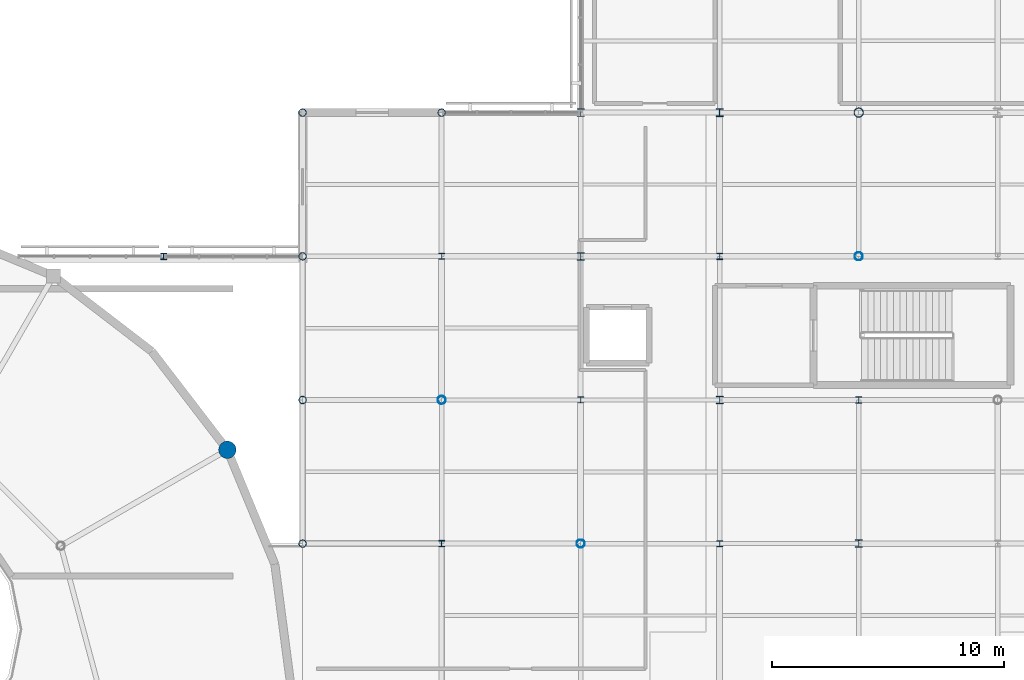
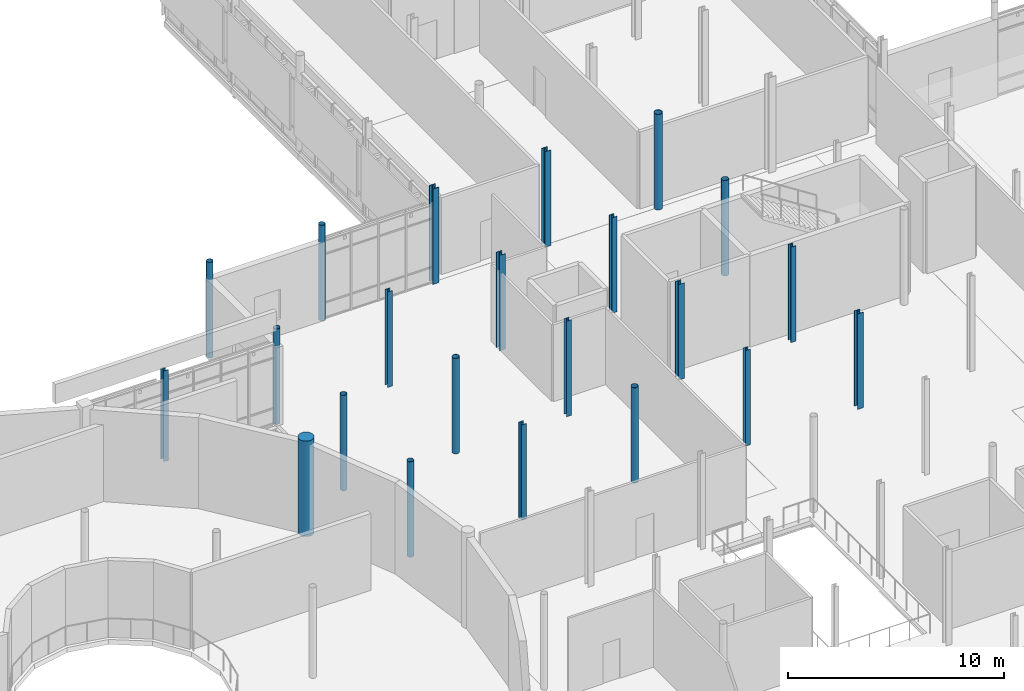
# One storey, part 11 of 105: 22 columns.
"""IFC4 building model written with IfcOpenShell, lengths in metres."""

from ifc_helpers import new_model, si_unit, direction, frame, origin, origin_2d, place, context, subcontext, project, spatial, circle, hollow_circle, i_section, extrude, material, material_profile, profile_set, type_object, element, save


model = new_model("IFC4")

# Units and contexts
model_context = context("Model", 3, precision=1e-05, world=origin(), true_north=direction((0.0, 1.0)))
body_context = subcontext(model_context, "Body", "Model", "MODEL_VIEW")
ifc_project = project(units=[si_unit("LENGTHUNIT", "METRE"), si_unit("AREAUNIT", "SQUARE_METRE"), si_unit("VOLUMEUNIT", "CUBIC_METRE"), si_unit("PLANEANGLEUNIT", "RADIAN"), si_unit("MASSUNIT", "GRAM", prefix="KILO")], contexts=[model_context])

# Site, building, storey
site_placement = place(None, origin())
site = spatial("IfcSite", under=ifc_project, at=site_placement, CompositionType="ELEMENT")
building_placement = place(site_placement, origin())
building = spatial("IfcBuilding", under=site, at=building_placement, Name="Mirzam Square Science Centre", CompositionType="ELEMENT")
storey_placement = place(building_placement, frame((0.0, 0.0, 5.39990234375)))
storey = spatial("IfcBuildingStorey", under=building, at=storey_placement, Name="L01", CompositionType="ELEMENT", Elevation=5.39990234375)

# Columns
ifc_material_1 = material(Name="Steel S355", Category="steel")
ifc_material_profile_1 = material_profile(ifc_material_1, hollow_circle(Radius=0.161865234375, WallThickness=0.012451171875, at=origin_2d()), Name="323.9x12.5CHS")
ifc_profile_set_1 = profile_set([ifc_material_profile_1], Name="Steel S355")
column_type_1 = type_object("IfcColumnType", Name="COL-CHS324", PredefinedType="COLUMN", material=ifc_profile_set_1)
for number, where, z_axis, x_axis, name in (
    (1, (102.0, 68.199951171875, 0.0), (0.0, 0.0, 1.0), (1.0, 0.0, 0.0), "L01 column G18-12"),
    (2, (102.0, 74.39990234375, 0.0), (0.0, 0.0, 1.0), (1.0, 0.0, 0.0), "L01 column G18-13"),
    (3, (102.0, 80.60009765625, 0.0), (0.0, 0.0, 1.0), (1.0, 0.0, 0.0), "L01 column G18-14"),
    (4, (102.0, 86.800048828125, 0.0), (0.0, 0.0, 1.0), (1.0, 0.0, 0.0), "L01 column G18-15"),
    (5, (108.0, 86.800048828125, 0.0), (0.0, 0.0, 1.0), (1.0, 0.0, 0.0), "L01 column G19-15"),
):
    element("IfcColumn", number, at=place(storey_placement, frame(where, z_axis=z_axis, x_axis=x_axis)), inside=storey, type_object=column_type_1, Name=name, PredefinedType="COLUMN", context=body_context, shape_type="SweptSolid", body=[
        extrude(hollow_circle(Radius=0.161865234375, WallThickness=0.012451171875, at=origin_2d()), origin(), (0.0, 0.0, 1.0), 5.400146484375),
    ])
ifc_material_profile_2 = material_profile(ifc_material_1, hollow_circle(Radius=0.177734375, WallThickness=0.012451171875, at=origin_2d()), Name="355.6x12.5CHS")
ifc_profile_set_2 = profile_set([ifc_material_profile_2], Name="Steel S355")
column_type_2 = type_object("IfcColumnType", Name="COL-CHS355", PredefinedType="COLUMN", material=ifc_profile_set_2)
for number, where, z_axis, x_axis, name in (
    (6, (108.0, 74.39990234375, 0.0), (0.0, 0.0, 1.0), (1.0, 0.0, 0.0), "L01 column G19-13"),
    (7, (114.0, 68.199951171875, 0.0), (0.0, 0.0, 1.0), (1.0, 0.0, 0.0), "L01 column G20-12"),
    (8, (126.0, 80.60009765625, 0.0), (0.0, 0.0, 1.0), (1.0, 0.0, 0.0), "L01 column G22-14"),
):
    element("IfcColumn", number, at=place(storey_placement, frame(where, z_axis=z_axis, x_axis=x_axis)), inside=storey, type_object=column_type_2, Name=name, PredefinedType="COLUMN", context=body_context, shape_type="SweptSolid", body=[
        extrude(hollow_circle(Radius=0.177734375, WallThickness=0.012451171875, at=origin_2d()), origin(), (0.0, 0.0, 1.0), 5.400146484375),
    ])
ifc_material_profile_3 = material_profile(ifc_material_1, hollow_circle(Radius=0.203125, WallThickness=0.01611328125, at=origin_2d()), Name="406.4x16.0CHS")
ifc_profile_set_3 = profile_set([ifc_material_profile_3], Name="Steel S355")
column_type_3 = type_object("IfcColumnType", Name="COL-CHS406", PredefinedType="COLUMN", material=ifc_profile_set_3)
column_1_placement = place(storey_placement, frame((126.0, 86.800048828125, 0.0), z_axis=(0.0, 0.0, 1.0), x_axis=(1.0, 0.0, 0.0)))
element("IfcColumn", 9, at=column_1_placement, inside=storey, type_object=column_type_3, Name="L01 column G22-15", PredefinedType="COLUMN", context=body_context, shape_type="SweptSolid", body=[
    extrude(hollow_circle(Radius=0.203125, WallThickness=0.01611328125, at=origin_2d()), origin(), (0.0, 0.0, 1.0), 5.400146484375),
])
ifc_material_profile_4 = material_profile(ifc_material_1, i_section(OverallWidth=0.25634765625, OverallDepth=0.26025390625, WebThickness=0.01025390625, FlangeThickness=0.017333984375, FilletRadius=0.0126953125, at=origin_2d()), Name="254x254x89UC")
ifc_profile_set_4 = profile_set([ifc_material_profile_4], Name="Steel S355")
column_type_4 = type_object("IfcColumnType", Name="COL-UC254A", PredefinedType="COLUMN", material=ifc_profile_set_4)
for number, where, z_axis, x_axis, name in (
    (10, (108.0, 80.60009765625, 0.0), (0.0, 0.0, 1.0), (1.0, 0.0, 0.0), "L01 column G19-14"),
    (11, (114.0, 74.39990234375, 0.0), (0.0, 0.0, 1.0), (1.0, 0.0, 0.0), "L01 column G20-13"),
    (12, (120.0, 68.199951171875, 0.0), (0.0, 0.0, 1.0), (1.0, 0.0, 0.0), "L01 column G21-12"),
):
    element("IfcColumn", number, at=place(storey_placement, frame(where, z_axis=z_axis, x_axis=x_axis)), inside=storey, type_object=column_type_4, Name=name, PredefinedType="COLUMN", context=body_context, shape_type="SweptSolid", body=[
        extrude(i_section(OverallWidth=0.25634765625, OverallDepth=0.26025390625, WebThickness=0.01025390625, FlangeThickness=0.017333984375, FilletRadius=0.0126953125, at=origin_2d()), origin(), (0.0, 0.0, 1.0), 5.400146484375),
    ])
ifc_material_profile_5 = material_profile(ifc_material_1, i_section(OverallWidth=0.26123046875, OverallDepth=0.2763671875, WebThickness=0.015380859375, FlangeThickness=0.025390625, FilletRadius=0.0126953125, at=origin_2d()), Name="254x254x132UC")
ifc_profile_set_5 = profile_set([ifc_material_profile_5], Name="Steel S355")
column_type_5 = type_object("IfcColumnType", Name="COL-UC254B", PredefinedType="COLUMN", material=ifc_profile_set_5)
column_2_placement = place(storey_placement, frame((96.0, 80.60009765625, 0.0), z_axis=(0.0, 0.0, 1.0), x_axis=(1.0, 0.0, 0.0)))
element("IfcColumn", 13, at=column_2_placement, inside=storey, type_object=column_type_5, Name="L01 column G17-14", PredefinedType="COLUMN", context=body_context, shape_type="SweptSolid", body=[
    extrude(i_section(OverallWidth=0.26123046875, OverallDepth=0.2763671875, WebThickness=0.015380859375, FlangeThickness=0.025390625, FilletRadius=0.0126953125, at=origin_2d()), origin(), (0.0, 0.0, 1.0), 5.135009765625),
])
for number, where, z_axis, x_axis, name in (
    (14, (108.0, 68.199951171875, 0.0), (0.0, 0.0, 1.0), (1.0, 0.0, 0.0), "L01 column G19-12"),
    (15, (120.0, 80.60009765625, 0.0), (0.0, 0.0, 1.0), (1.0, 0.0, 0.0), "L01 column G21-14"),
    (16, (126.0, 74.39990234375, 0.0), (0.0, 0.0, 1.0), (1.0, 0.0, 0.0), "L01 column G22-13"),
):
    element("IfcColumn", number, at=place(storey_placement, frame(where, z_axis=z_axis, x_axis=x_axis)), inside=storey, type_object=column_type_5, Name=name, PredefinedType="COLUMN", context=body_context, shape_type="SweptSolid", body=[
        extrude(i_section(OverallWidth=0.26123046875, OverallDepth=0.2763671875, WebThickness=0.015380859375, FlangeThickness=0.025390625, FilletRadius=0.0126953125, at=origin_2d()), origin(), (0.0, 0.0, 1.0), 5.400146484375),
    ])
ifc_material_profile_6 = material_profile(ifc_material_1, i_section(OverallWidth=0.30908203125, OverallDepth=0.320556640625, WebThickness=0.013916015625, FlangeThickness=0.021728515625, FilletRadius=0.01513671875, at=origin_2d()), Name="305x305x137UC")
ifc_profile_set_6 = profile_set([ifc_material_profile_6], Name="Steel S355")
column_type_6 = type_object("IfcColumnType", Name="COL-UC305A", PredefinedType="COLUMN", material=ifc_profile_set_6)
for number, where, z_axis, x_axis, name in (
    (17, (114.0, 80.60009765625, 0.0), (0.0, 0.0, 1.0), (1.0, 0.0, 0.0), "L01 column G20-14"),
    (18, (120.0, 74.39990234375, 0.0), (0.0, 0.0, 1.0), (1.0, 0.0, 0.0), "L01 column G21-13"),
    (19, (126.0, 68.199951171875, 0.0), (0.0, 0.0, 1.0), (1.0, 0.0, 0.0), "L01 column G22-12"),
):
    element("IfcColumn", number, at=place(storey_placement, frame(where, z_axis=z_axis, x_axis=x_axis)), inside=storey, type_object=column_type_6, Name=name, PredefinedType="COLUMN", context=body_context, shape_type="SweptSolid", body=[
        extrude(i_section(OverallWidth=0.30908203125, OverallDepth=0.320556640625, WebThickness=0.013916015625, FlangeThickness=0.021728515625, FilletRadius=0.01513671875, at=origin_2d()), origin(), (0.0, 0.0, 1.0), 5.400146484375),
    ])
ifc_material_profile_7 = material_profile(ifc_material_1, i_section(OverallWidth=0.314453125, OverallDepth=0.33984375, WebThickness=0.01904296875, FlangeThickness=0.031494140625, FilletRadius=0.01513671875, at=origin_2d()), Name="305x305x198UC")
ifc_profile_set_7 = profile_set([ifc_material_profile_7], Name="Steel S355")
column_type_7 = type_object("IfcColumnType", Name="COL-UC305B", PredefinedType="COLUMN", material=ifc_profile_set_7)
column_3_placement = place(storey_placement, frame((120.0, 86.800048828125, 0.0), z_axis=(0.0, 0.0, 1.0), x_axis=(1.0, 0.0, 0.0)))
element("IfcColumn", 20, at=column_3_placement, inside=storey, type_object=column_type_7, Name="L01 column G21-15", PredefinedType="COLUMN", context=body_context, shape_type="SweptSolid", body=[
    extrude(i_section(OverallWidth=0.314453125, OverallDepth=0.33984375, WebThickness=0.01904296875, FlangeThickness=0.031494140625, FilletRadius=0.01513671875, at=origin_2d()), origin(), (0.0, 0.0, 1.0), 5.400146484375),
])
ifc_material_profile_8 = material_profile(ifc_material_1, i_section(OverallWidth=0.318359375, OverallDepth=0.3525390625, WebThickness=0.02294921875, FlangeThickness=0.03759765625, FilletRadius=0.01513671875, at=origin_2d()), Name="305x305x240UC")
ifc_profile_set_8 = profile_set([ifc_material_profile_8], Name="Steel S355")
column_type_8 = type_object("IfcColumnType", Name="COL-UC305C", PredefinedType="COLUMN", material=ifc_profile_set_8)
column_4_placement = place(storey_placement, frame((114.0, 86.800048828125, 0.0), z_axis=(0.0, 0.0, 1.0), x_axis=(1.0, 0.0, 0.0)))
element("IfcColumn", 21, at=column_4_placement, inside=storey, type_object=column_type_8, Name="L01 column G20-15", PredefinedType="COLUMN", context=body_context, shape_type="SweptSolid", body=[
    extrude(i_section(OverallWidth=0.318359375, OverallDepth=0.3525390625, WebThickness=0.02294921875, FlangeThickness=0.03759765625, FilletRadius=0.01513671875, at=origin_2d()), origin(), (0.0, 0.0, 1.0), 5.400146484375),
])
ifc_material_2 = material(Name="Concrete C45/55", Category="concrete")
ifc_material_profile_9 = material_profile(ifc_material_2, circle(Radius=0.375, at=origin_2d()), Name="RCD750")
ifc_profile_set_9 = profile_set([ifc_material_profile_9], Name="Concrete C45/55")
column_type_9 = type_object("IfcColumnType", Name="PIL-RCD750", PredefinedType="PILASTER", material=ifc_profile_set_9)
column_5_placement = place(storey_placement, frame((98.75341796875, 72.25, 0.0), z_axis=(0.0, 0.0, 1.0), x_axis=(1.0, 0.0, 0.0)))
element("IfcColumn", 22, at=column_5_placement, inside=storey, type_object=column_type_9, Name="L01 drum pilaster 03", PredefinedType="PILASTER", context=body_context, shape_type="SweptSolid", body=[
    extrude(circle(Radius=0.375, at=origin_2d()), origin(), (0.0, 0.0, 1.0), 5.400146484375),
])

save(model, "model.ifc")
